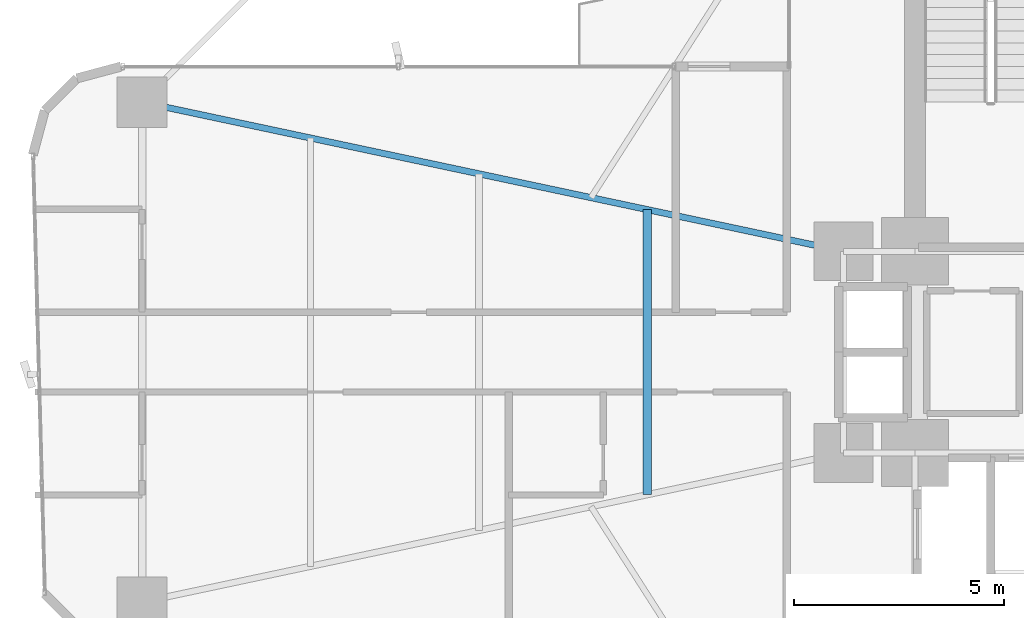
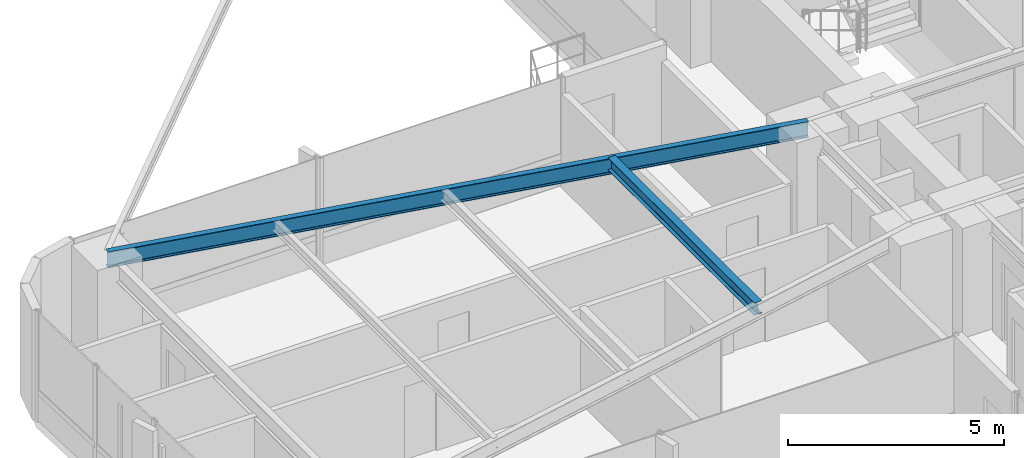
# One storey, part 9 of 26: 2 beams.
"""IFC4 building model written with IfcOpenShell, lengths in metres."""

from ifc_helpers import new_model, si_unit, direction, frame, origin, origin_2d, place, context, subcontext, project, spatial, i_section, extrude, source, transform, mapped, material, material_profile, profile_set, type_object, element, save


model = new_model("IFC4")

# Units and contexts
model_context = context("Model", 3, precision=1e-05, world=origin(), true_north=direction((0.0, 1.0)))
body_context = subcontext(model_context, "Body", "Model", "MODEL_VIEW")
ifc_project = project(units=[si_unit("LENGTHUNIT", "METRE"), si_unit("AREAUNIT", "SQUARE_METRE"), si_unit("VOLUMEUNIT", "CUBIC_METRE"), si_unit("PLANEANGLEUNIT", "RADIAN"), si_unit("MASSUNIT", "GRAM", prefix="KILO")], contexts=[model_context])

# Site, building, storey
site_placement = place(None, origin())
site = spatial("IfcSite", under=ifc_project, at=site_placement, CompositionType="ELEMENT")
building_placement = place(site_placement, origin())
building = spatial("IfcBuilding", under=site, at=building_placement, Name="Sahyath Konkavel Grand Hotel", CompositionType="ELEMENT")
storey_placement = place(building_placement, frame((0.0, 0.0, 29.800048828125)))
storey = spatial("IfcBuildingStorey", under=building, at=storey_placement, Name="L07", CompositionType="ELEMENT", Elevation=29.800048828125)

# Beams
ifc_material = material(Name="Steel E350", Category="steel")
ifc_material_profile_1 = material_profile(ifc_material, i_section(OverallWidth=0.14990234375, OverallDepth=0.449951171875, WebThickness=0.009521484375, FlangeThickness=0.017333984375, FilletRadius=0.014892578125, at=origin_2d()), Name="ISMB 450")
ifc_profile_set_1 = profile_set([ifc_material_profile_1], Name="Steel E350")
beam_type_1 = type_object("IfcBeamType", Name="BM-ISMB450", PredefinedType="BEAM", material=ifc_profile_set_1)
shared_shape_1 = source(origin(), body_context, "Body", "SweptSolid", [
    extrude(i_section(OverallWidth=0.14990234375, OverallDepth=0.449951171875, WebThickness=0.009521484375, FlangeThickness=0.017333984375, FilletRadius=0.014892578125, at=origin_2d()), origin(), (0.0, 0.0, 1.0), 17.072998046875),
])
beam_1_placement = place(storey_placement, frame((-5.5, 2.39990234375, 2.885009765625), z_axis=(-0.978143257225, 0.20793212437, 0.0), x_axis=(-0.20793212437, -0.978143257225, 0.0)))
element("IfcBeam", 1, at=beam_1_placement, inside=storey, type_object=beam_type_1, Name="L07 Cruciform Radial Girder WA", PredefinedType="BEAM", context=body_context, shape_type="MappedRepresentation", body=[
    mapped(shared_shape_1, transform((0.0, 0.0, 0.0), scale=1.0)),
])
ifc_material_profile_2 = material_profile(ifc_material, i_section(OverallWidth=0.199951171875, OverallDepth=0.35009765625, WebThickness=0.008056640625, FlangeThickness=0.011474609375, FilletRadius=0.013916015625, at=origin_2d()), Name="ISWB 350")
ifc_profile_set_2 = profile_set([ifc_material_profile_2], Name="Steel E350")
beam_type_2 = type_object("IfcBeamType", Name="BM-ISWB350", PredefinedType="BEAM", material=ifc_profile_set_2)
shared_shape_2 = source(origin(), body_context, "Body", "SweptSolid", [
    extrude(i_section(OverallWidth=0.199951171875, OverallDepth=0.35009765625, WebThickness=0.008056640625, FlangeThickness=0.011474609375, FilletRadius=0.013916015625, at=origin_2d()), origin(), (0.0, 0.0, 1.0), 6.7880859375),
])
beam_2_placement = place(storey_placement, frame((-10.176025390625, 3.39404296875, 2.93505859375), z_axis=(0.0, -1.0, 0.0), x_axis=(1.0, 0.0, 0.0)))
element("IfcBeam", 2, at=beam_2_placement, inside=storey, type_object=beam_type_2, Name="L07 Secondary Floor Beam W-1", PredefinedType="BEAM", context=body_context, shape_type="MappedRepresentation", body=[
    mapped(shared_shape_2, transform((0.0, 0.0, 0.0), scale=1.0)),
])

save(model, "model.ifc")
